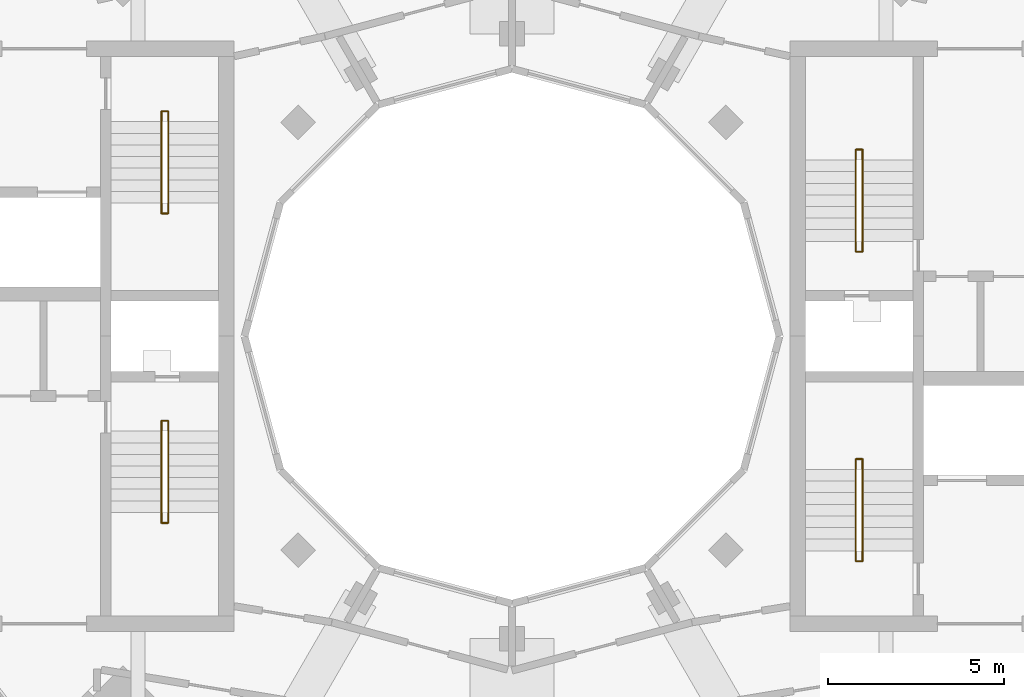
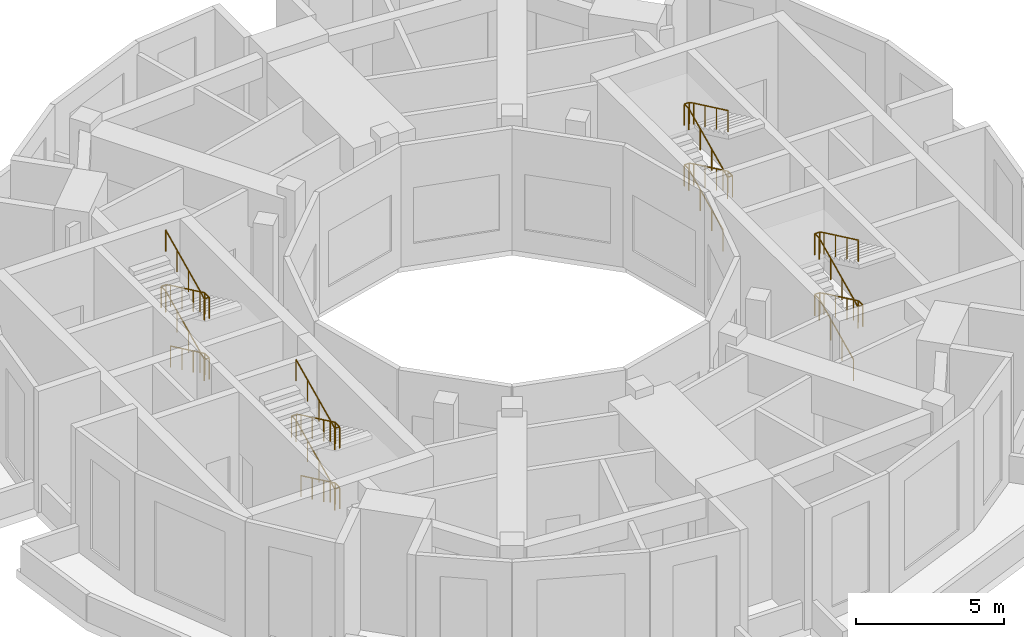
# One storey, part 8 of 8: 4 railings.
"""IFC4 building model written with IfcOpenShell, lengths in metres."""

from ifc_helpers import new_model, si_unit, direction, frame, origin, origin_2d, place, context, subcontext, project, spatial, circle, extrude, material, type_object, element, save


model = new_model("IFC4")

# Units and contexts
model_context = context("Model", 3, precision=1e-05, world=origin(), true_north=direction((0.0, 1.0)))
body_context = subcontext(model_context, "Body", "Model", "MODEL_VIEW")
ifc_project = project(units=[si_unit("LENGTHUNIT", "METRE"), si_unit("AREAUNIT", "SQUARE_METRE"), si_unit("VOLUMEUNIT", "CUBIC_METRE"), si_unit("PLANEANGLEUNIT", "RADIAN"), si_unit("MASSUNIT", "GRAM", prefix="KILO")], contexts=[model_context])

# Site, building, storey
site_placement = place(None, origin())
site = spatial("IfcSite", under=ifc_project, at=site_placement, CompositionType="ELEMENT")
building_placement = place(site_placement, origin())
building = spatial("IfcBuilding", under=site, at=building_placement, Name="Torre Brocal", CompositionType="ELEMENT")
storey_placement = place(building_placement, frame((0.0, 0.0, 328.10009765625)))
storey = spatial("IfcBuildingStorey", under=building, at=storey_placement, Name="L75", CompositionType="ELEMENT", Elevation=328.10009765625)

# Railings
ifc_material = material(Name="Stainless steel AISI 316", Category="steel")
railing_type = type_object("IfcRailingType", Name="STAIR HANDRAIL", PredefinedType="HANDRAIL", material=ifc_material)
railing_1_placement = place(storey_placement, frame((89.780029296875, 77.699951171875, 0.15625)))
element("IfcRailing", 1, at=railing_1_placement, inside=storey, type_object=railing_type, Name="HANDRAIL ST1", PredefinedType="HANDRAIL", context=body_context, shape_type="SweptSolid", body=[
    extrude(circle(Radius=0.02392578125, at=origin_2d()), frame((0.0, 0.0, 0.8759765625), z_axis=(0.0, 0.903811734687, 0.427930307694), x_axis=(-1.0, 0.0, 0.0)), (0.0, 0.0, 1.0), 2.555908203125),
    extrude(circle(Radius=0.02392578125, at=origin_2d()), frame((0.0, 2.31005859375, 1.9697265625), z_axis=(0.0, 1.0, 0.0), x_axis=(-1.0, 0.0, 0.0)), (0.0, 0.0, 1.0), 0.300048828125),
    extrude(circle(Radius=0.02392578125, at=origin_2d()), frame((0.0, 2.610107421875, 1.9697265625), z_axis=(1.0, 0.0, 0.0), x_axis=(0.0, 1.0, 0.0)), (0.0, 0.0, 1.0), 0.18994140625),
    extrude(circle(Radius=0.02392578125, at=origin_2d()), frame((0.18994140625, 2.610107421875, 1.9697265625), z_axis=(0.0, -0.886944881109, 0.461875283897), x_axis=(1.0, 0.0, 0.0)), (0.0, 0.0, 1.0), 0.33837890625),
    extrude(circle(Radius=0.02392578125, at=origin_2d()), frame((0.18994140625, 2.31005859375, 2.1259765625), z_axis=(0.0, -0.903811734687, 0.427930307694), x_axis=(1.0, 0.0, 0.0)), (0.0, 0.0, 1.0), 2.555908203125),
    extrude(circle(Radius=0.02392578125, at=origin_2d()), frame((0.18994140625, 0.0, 3.2197265625), z_axis=(0.0, -1.0, 0.0), x_axis=(1.0, 0.0, 0.0)), (0.0, 0.0, 1.0), 0.300048828125),
    extrude(circle(Radius=0.02392578125, at=origin_2d()), frame((0.18994140625, -0.300048828125, 3.2197265625), z_axis=(-1.0, 0.0, 0.0), x_axis=(0.0, -1.0, 0.0)), (0.0, 0.0, 1.0), 0.18994140625),
    extrude(circle(Radius=0.02392578125, at=origin_2d()), frame((0.0, -0.300048828125, 3.2197265625), z_axis=(0.0, 0.886944881109, 0.461875283897), x_axis=(-1.0, 0.0, 0.0)), (0.0, 0.0, 1.0), 0.33837890625),
    extrude(circle(Radius=0.02392578125, at=origin_2d()), frame((0.0, 0.0, 3.3759765625), z_axis=(0.0, 0.903811734687, 0.427930307694), x_axis=(-1.0, 0.0, 0.0)), (0.0, 0.0, 1.0), 2.555908203125),
    extrude(circle(Radius=0.02392578125, at=origin_2d()), frame((0.0, 2.31005859375, 4.4697265625), z_axis=(0.0, 1.0, 0.0), x_axis=(-1.0, 0.0, 0.0)), (0.0, 0.0, 1.0), 0.300048828125),
    extrude(circle(Radius=0.02392578125, at=origin_2d()), frame((0.0, 2.610107421875, 4.4697265625), z_axis=(1.0, 0.0, 0.0), x_axis=(0.0, 1.0, 0.0)), (0.0, 0.0, 1.0), 0.18994140625),
    extrude(circle(Radius=0.02392578125, at=origin_2d()), frame((0.18994140625, 2.610107421875, 4.4697265625), z_axis=(0.0, -0.886944881109, 0.461875283897), x_axis=(1.0, 0.0, 0.0)), (0.0, 0.0, 1.0), 0.33837890625),
    extrude(circle(Radius=0.02392578125, at=origin_2d()), frame((0.18994140625, 2.31005859375, 4.6259765625), z_axis=(0.0, -0.903811734687, 0.427930307694), x_axis=(1.0, 0.0, 0.0)), (0.0, 0.0, 1.0), 2.555908203125),
    extrude(circle(Radius=0.02099609375, at=origin_2d()), origin(), (0.0, 0.0, 1.0), 0.851806640625),
    extrude(circle(Radius=0.02099609375, at=origin_2d()), frame((0.0, 0.77001953125, 0.364501953125)), (0.0, 0.0, 1.0), 0.851806640625),
    extrude(circle(Radius=0.02099609375, at=origin_2d()), frame((0.0, 1.5400390625, 0.729248046875)), (0.0, 0.0, 1.0), 0.851806640625),
    extrude(circle(Radius=0.02099609375, at=origin_2d()), frame((0.0, 2.31005859375, 1.09375)), (0.0, 0.0, 1.0), 0.851806640625),
    extrude(circle(Radius=0.02099609375, at=origin_2d()), frame((0.0, 2.610107421875, 1.09375)), (0.0, 0.0, 1.0), 0.851806640625),
    extrude(circle(Radius=0.02099609375, at=origin_2d()), frame((0.18994140625, 2.610107421875, 1.09375)), (0.0, 0.0, 1.0), 0.851806640625),
    extrude(circle(Radius=0.02099609375, at=origin_2d()), frame((0.18994140625, 2.31005859375, 1.25)), (0.0, 0.0, 1.0), 0.851806640625),
    extrude(circle(Radius=0.02099609375, at=origin_2d()), frame((0.18994140625, 1.5400390625, 1.614501953125)), (0.0, 0.0, 1.0), 0.851806640625),
    extrude(circle(Radius=0.02099609375, at=origin_2d()), frame((0.18994140625, 0.77001953125, 1.979248046875)), (0.0, 0.0, 1.0), 0.851806640625),
    extrude(circle(Radius=0.02099609375, at=origin_2d()), frame((0.18994140625, 0.0, 2.34375)), (0.0, 0.0, 1.0), 0.851806640625),
    extrude(circle(Radius=0.02099609375, at=origin_2d()), frame((0.18994140625, -0.300048828125, 2.34375)), (0.0, 0.0, 1.0), 0.851806640625),
    extrude(circle(Radius=0.02099609375, at=origin_2d()), frame((0.0, -0.300048828125, 2.34375)), (0.0, 0.0, 1.0), 0.851806640625),
    extrude(circle(Radius=0.02099609375, at=origin_2d()), frame((0.0, 0.0, 2.5)), (0.0, 0.0, 1.0), 0.851806640625),
    extrude(circle(Radius=0.02099609375, at=origin_2d()), frame((0.0, 0.77001953125, 2.864501953125)), (0.0, 0.0, 1.0), 0.851806640625),
    extrude(circle(Radius=0.02099609375, at=origin_2d()), frame((0.0, 1.5400390625, 3.229248046875)), (0.0, 0.0, 1.0), 0.851806640625),
    extrude(circle(Radius=0.02099609375, at=origin_2d()), frame((0.0, 2.31005859375, 3.59375)), (0.0, 0.0, 1.0), 0.851806640625),
    extrude(circle(Radius=0.02099609375, at=origin_2d()), frame((0.0, 2.610107421875, 3.59375)), (0.0, 0.0, 1.0), 0.851806640625),
    extrude(circle(Radius=0.02099609375, at=origin_2d()), frame((0.18994140625, 2.610107421875, 3.59375)), (0.0, 0.0, 1.0), 0.851806640625),
    extrude(circle(Radius=0.02099609375, at=origin_2d()), frame((0.18994140625, 2.31005859375, 3.75)), (0.0, 0.0, 1.0), 0.851806640625),
    extrude(circle(Radius=0.02099609375, at=origin_2d()), frame((0.18994140625, 1.5400390625, 4.114501953125)), (0.0, 0.0, 1.0), 0.851806640625),
    extrude(circle(Radius=0.02099609375, at=origin_2d()), frame((0.18994140625, 0.77001953125, 4.479248046875)), (0.0, 0.0, 1.0), 0.851806640625),
    extrude(circle(Radius=0.02099609375, at=origin_2d()), frame((0.18994140625, 0.0, 4.84375)), (0.0, 0.0, 1.0), 0.851806640625),
])
railing_2_placement = place(storey_placement, frame((89.780029296875, 68.89990234375, 0.15625)))
element("IfcRailing", 2, at=railing_2_placement, inside=storey, type_object=railing_type, Name="HANDRAIL ST2", PredefinedType="HANDRAIL", context=body_context, shape_type="SweptSolid", body=[
    extrude(circle(Radius=0.02392578125, at=origin_2d()), frame((0.0, 0.0, 0.8759765625), z_axis=(0.0, 0.903811734687, 0.427930307694), x_axis=(-1.0, 0.0, 0.0)), (0.0, 0.0, 1.0), 2.555908203125),
    extrude(circle(Radius=0.02392578125, at=origin_2d()), frame((0.0, 2.31005859375, 1.9697265625), z_axis=(0.0, 1.0, 0.0), x_axis=(-1.0, 0.0, 0.0)), (0.0, 0.0, 1.0), 0.300048828125),
    extrude(circle(Radius=0.02392578125, at=origin_2d()), frame((0.0, 2.610107421875, 1.9697265625), z_axis=(1.0, 0.0, 0.0), x_axis=(0.0, 1.0, 0.0)), (0.0, 0.0, 1.0), 0.18994140625),
    extrude(circle(Radius=0.02392578125, at=origin_2d()), frame((0.18994140625, 2.610107421875, 1.9697265625), z_axis=(0.0, -0.886944881109, 0.461875283897), x_axis=(1.0, 0.0, 0.0)), (0.0, 0.0, 1.0), 0.33837890625),
    extrude(circle(Radius=0.02392578125, at=origin_2d()), frame((0.18994140625, 2.31005859375, 2.1259765625), z_axis=(0.0, -0.903811734687, 0.427930307694), x_axis=(1.0, 0.0, 0.0)), (0.0, 0.0, 1.0), 2.555908203125),
    extrude(circle(Radius=0.02392578125, at=origin_2d()), frame((0.18994140625, 0.0, 3.2197265625), z_axis=(0.0, -1.0, 0.0), x_axis=(1.0, 0.0, 0.0)), (0.0, 0.0, 1.0), 0.2998046875),
    extrude(circle(Radius=0.02392578125, at=origin_2d()), frame((0.18994140625, -0.2998046875, 3.2197265625), z_axis=(-1.0, 0.0, 0.0), x_axis=(0.0, -1.0, 0.0)), (0.0, 0.0, 1.0), 0.18994140625),
    extrude(circle(Radius=0.02392578125, at=origin_2d()), frame((0.0, -0.2998046875, 3.2197265625), z_axis=(0.0, 0.886790778033, 0.462171089529), x_axis=(-1.0, 0.0, 0.0)), (0.0, 0.0, 1.0), 0.338134765625),
    extrude(circle(Radius=0.02392578125, at=origin_2d()), frame((0.0, 0.0, 3.3759765625), z_axis=(0.0, 0.903811734687, 0.427930307694), x_axis=(-1.0, 0.0, 0.0)), (0.0, 0.0, 1.0), 2.555908203125),
    extrude(circle(Radius=0.02392578125, at=origin_2d()), frame((0.0, 2.31005859375, 4.4697265625), z_axis=(0.0, 1.0, 0.0), x_axis=(-1.0, 0.0, 0.0)), (0.0, 0.0, 1.0), 0.300048828125),
    extrude(circle(Radius=0.02392578125, at=origin_2d()), frame((0.0, 2.610107421875, 4.4697265625), z_axis=(1.0, 0.0, 0.0), x_axis=(0.0, 1.0, 0.0)), (0.0, 0.0, 1.0), 0.18994140625),
    extrude(circle(Radius=0.02392578125, at=origin_2d()), frame((0.18994140625, 2.610107421875, 4.4697265625), z_axis=(0.0, -0.886944881109, 0.461875283897), x_axis=(1.0, 0.0, 0.0)), (0.0, 0.0, 1.0), 0.33837890625),
    extrude(circle(Radius=0.02392578125, at=origin_2d()), frame((0.18994140625, 2.31005859375, 4.6259765625), z_axis=(0.0, -0.903811734687, 0.427930307694), x_axis=(1.0, 0.0, 0.0)), (0.0, 0.0, 1.0), 2.555908203125),
    extrude(circle(Radius=0.02099609375, at=origin_2d()), origin(), (0.0, 0.0, 1.0), 0.851806640625),
    extrude(circle(Radius=0.02099609375, at=origin_2d()), frame((0.0, 0.77001953125, 0.364501953125)), (0.0, 0.0, 1.0), 0.851806640625),
    extrude(circle(Radius=0.02099609375, at=origin_2d()), frame((0.0, 1.5400390625, 0.729248046875)), (0.0, 0.0, 1.0), 0.851806640625),
    extrude(circle(Radius=0.02099609375, at=origin_2d()), frame((0.0, 2.31005859375, 1.09375)), (0.0, 0.0, 1.0), 0.851806640625),
    extrude(circle(Radius=0.02099609375, at=origin_2d()), frame((0.0, 2.610107421875, 1.09375)), (0.0, 0.0, 1.0), 0.851806640625),
    extrude(circle(Radius=0.02099609375, at=origin_2d()), frame((0.18994140625, 2.610107421875, 1.09375)), (0.0, 0.0, 1.0), 0.851806640625),
    extrude(circle(Radius=0.02099609375, at=origin_2d()), frame((0.18994140625, 2.31005859375, 1.25)), (0.0, 0.0, 1.0), 0.851806640625),
    extrude(circle(Radius=0.02099609375, at=origin_2d()), frame((0.18994140625, 1.5400390625, 1.614501953125)), (0.0, 0.0, 1.0), 0.851806640625),
    extrude(circle(Radius=0.02099609375, at=origin_2d()), frame((0.18994140625, 0.77001953125, 1.979248046875)), (0.0, 0.0, 1.0), 0.851806640625),
    extrude(circle(Radius=0.02099609375, at=origin_2d()), frame((0.18994140625, 0.0, 2.34375)), (0.0, 0.0, 1.0), 0.851806640625),
    extrude(circle(Radius=0.02099609375, at=origin_2d()), frame((0.18994140625, -0.2998046875, 2.34375)), (0.0, 0.0, 1.0), 0.851806640625),
    extrude(circle(Radius=0.02099609375, at=origin_2d()), frame((0.0, -0.2998046875, 2.34375)), (0.0, 0.0, 1.0), 0.851806640625),
    extrude(circle(Radius=0.02099609375, at=origin_2d()), frame((0.0, 0.0, 2.5)), (0.0, 0.0, 1.0), 0.851806640625),
    extrude(circle(Radius=0.02099609375, at=origin_2d()), frame((0.0, 0.77001953125, 2.864501953125)), (0.0, 0.0, 1.0), 0.851806640625),
    extrude(circle(Radius=0.02099609375, at=origin_2d()), frame((0.0, 1.5400390625, 3.229248046875)), (0.0, 0.0, 1.0), 0.851806640625),
    extrude(circle(Radius=0.02099609375, at=origin_2d()), frame((0.0, 2.31005859375, 3.59375)), (0.0, 0.0, 1.0), 0.851806640625),
    extrude(circle(Radius=0.02099609375, at=origin_2d()), frame((0.0, 2.610107421875, 3.59375)), (0.0, 0.0, 1.0), 0.851806640625),
    extrude(circle(Radius=0.02099609375, at=origin_2d()), frame((0.18994140625, 2.610107421875, 3.59375)), (0.0, 0.0, 1.0), 0.851806640625),
    extrude(circle(Radius=0.02099609375, at=origin_2d()), frame((0.18994140625, 2.31005859375, 3.75)), (0.0, 0.0, 1.0), 0.851806640625),
    extrude(circle(Radius=0.02099609375, at=origin_2d()), frame((0.18994140625, 1.5400390625, 4.114501953125)), (0.0, 0.0, 1.0), 0.851806640625),
    extrude(circle(Radius=0.02099609375, at=origin_2d()), frame((0.18994140625, 0.77001953125, 4.479248046875)), (0.0, 0.0, 1.0), 0.851806640625),
    extrude(circle(Radius=0.02099609375, at=origin_2d()), frame((0.18994140625, 0.0, 4.84375)), (0.0, 0.0, 1.0), 0.851806640625),
])
railing_3_placement = place(storey_placement, frame((70.219970703125, 72.300048828125, 0.15625)))
element("IfcRailing", 3, at=railing_3_placement, inside=storey, type_object=railing_type, Name="HANDRAIL ST3", PredefinedType="HANDRAIL", context=body_context, shape_type="SweptSolid", body=[
    extrude(circle(Radius=0.02392578125, at=origin_2d()), frame((0.0, 0.0, 0.8759765625), z_axis=(0.0, -0.903811734687, 0.427930307694), x_axis=(1.0, 0.0, 0.0)), (0.0, 0.0, 1.0), 2.555908203125),
    extrude(circle(Radius=0.02392578125, at=origin_2d()), frame((0.0, -2.31005859375, 1.9697265625), z_axis=(0.0, -1.0, 0.0), x_axis=(1.0, 0.0, 0.0)), (0.0, 0.0, 1.0), 0.300048828125),
    extrude(circle(Radius=0.02392578125, at=origin_2d()), frame((0.0, -2.610107421875, 1.9697265625), z_axis=(-1.0, 0.0, 0.0), x_axis=(0.0, -1.0, 0.0)), (0.0, 0.0, 1.0), 0.18994140625),
    extrude(circle(Radius=0.02392578125, at=origin_2d()), frame((-0.18994140625, -2.610107421875, 1.9697265625), z_axis=(0.0, 0.886944881109, 0.461875283897), x_axis=(-1.0, 0.0, 0.0)), (0.0, 0.0, 1.0), 0.33837890625),
    extrude(circle(Radius=0.02392578125, at=origin_2d()), frame((-0.18994140625, -2.31005859375, 2.1259765625), z_axis=(0.0, 0.903811734687, 0.427930307694), x_axis=(-1.0, 0.0, 0.0)), (0.0, 0.0, 1.0), 2.555908203125),
    extrude(circle(Radius=0.02392578125, at=origin_2d()), frame((-0.18994140625, 0.0, 3.2197265625), z_axis=(0.0, 1.0, 0.0), x_axis=(-1.0, 0.0, 0.0)), (0.0, 0.0, 1.0), 0.300048828125),
    extrude(circle(Radius=0.02392578125, at=origin_2d()), frame((-0.18994140625, 0.300048828125, 3.2197265625), z_axis=(1.0, 0.0, 0.0), x_axis=(0.0, 1.0, 0.0)), (0.0, 0.0, 1.0), 0.18994140625),
    extrude(circle(Radius=0.02392578125, at=origin_2d()), frame((0.0, 0.300048828125, 3.2197265625), z_axis=(0.0, -0.886944881109, 0.461875283897), x_axis=(1.0, 0.0, 0.0)), (0.0, 0.0, 1.0), 0.33837890625),
    extrude(circle(Radius=0.02392578125, at=origin_2d()), frame((0.0, 0.0, 3.3759765625), z_axis=(0.0, -0.903811734687, 0.427930307694), x_axis=(1.0, 0.0, 0.0)), (0.0, 0.0, 1.0), 2.555908203125),
    extrude(circle(Radius=0.02392578125, at=origin_2d()), frame((0.0, -2.31005859375, 4.4697265625), z_axis=(0.0, -1.0, 0.0), x_axis=(1.0, 0.0, 0.0)), (0.0, 0.0, 1.0), 0.300048828125),
    extrude(circle(Radius=0.02392578125, at=origin_2d()), frame((0.0, -2.610107421875, 4.4697265625), z_axis=(-1.0, 0.0, 0.0), x_axis=(0.0, -1.0, 0.0)), (0.0, 0.0, 1.0), 0.18994140625),
    extrude(circle(Radius=0.02392578125, at=origin_2d()), frame((-0.18994140625, -2.610107421875, 4.4697265625), z_axis=(0.0, 0.886944881109, 0.461875283897), x_axis=(-1.0, 0.0, 0.0)), (0.0, 0.0, 1.0), 0.33837890625),
    extrude(circle(Radius=0.02392578125, at=origin_2d()), frame((-0.18994140625, -2.31005859375, 4.6259765625), z_axis=(0.0, 0.903811734687, 0.427930307694), x_axis=(-1.0, 0.0, 0.0)), (0.0, 0.0, 1.0), 2.555908203125),
    extrude(circle(Radius=0.02099609375, at=origin_2d()), origin(), (0.0, 0.0, 1.0), 0.851806640625),
    extrude(circle(Radius=0.02099609375, at=origin_2d()), frame((0.0, -0.77001953125, 0.364501953125)), (0.0, 0.0, 1.0), 0.851806640625),
    extrude(circle(Radius=0.02099609375, at=origin_2d()), frame((0.0, -1.5400390625, 0.729248046875)), (0.0, 0.0, 1.0), 0.851806640625),
    extrude(circle(Radius=0.02099609375, at=origin_2d()), frame((0.0, -2.31005859375, 1.09375)), (0.0, 0.0, 1.0), 0.851806640625),
    extrude(circle(Radius=0.02099609375, at=origin_2d()), frame((0.0, -2.610107421875, 1.09375)), (0.0, 0.0, 1.0), 0.851806640625),
    extrude(circle(Radius=0.02099609375, at=origin_2d()), frame((-0.18994140625, -2.610107421875, 1.09375)), (0.0, 0.0, 1.0), 0.851806640625),
    extrude(circle(Radius=0.02099609375, at=origin_2d()), frame((-0.18994140625, -2.31005859375, 1.25)), (0.0, 0.0, 1.0), 0.851806640625),
    extrude(circle(Radius=0.02099609375, at=origin_2d()), frame((-0.18994140625, -1.5400390625, 1.614501953125)), (0.0, 0.0, 1.0), 0.851806640625),
    extrude(circle(Radius=0.02099609375, at=origin_2d()), frame((-0.18994140625, -0.77001953125, 1.979248046875)), (0.0, 0.0, 1.0), 0.851806640625),
    extrude(circle(Radius=0.02099609375, at=origin_2d()), frame((-0.18994140625, 0.0, 2.34375)), (0.0, 0.0, 1.0), 0.851806640625),
    extrude(circle(Radius=0.02099609375, at=origin_2d()), frame((-0.18994140625, 0.300048828125, 2.34375)), (0.0, 0.0, 1.0), 0.851806640625),
    extrude(circle(Radius=0.02099609375, at=origin_2d()), frame((0.0, 0.300048828125, 2.34375)), (0.0, 0.0, 1.0), 0.851806640625),
    extrude(circle(Radius=0.02099609375, at=origin_2d()), frame((0.0, 0.0, 2.5)), (0.0, 0.0, 1.0), 0.851806640625),
    extrude(circle(Radius=0.02099609375, at=origin_2d()), frame((0.0, -0.77001953125, 2.864501953125)), (0.0, 0.0, 1.0), 0.851806640625),
    extrude(circle(Radius=0.02099609375, at=origin_2d()), frame((0.0, -1.5400390625, 3.229248046875)), (0.0, 0.0, 1.0), 0.851806640625),
    extrude(circle(Radius=0.02099609375, at=origin_2d()), frame((0.0, -2.31005859375, 3.59375)), (0.0, 0.0, 1.0), 0.851806640625),
    extrude(circle(Radius=0.02099609375, at=origin_2d()), frame((0.0, -2.610107421875, 3.59375)), (0.0, 0.0, 1.0), 0.851806640625),
    extrude(circle(Radius=0.02099609375, at=origin_2d()), frame((-0.18994140625, -2.610107421875, 3.59375)), (0.0, 0.0, 1.0), 0.851806640625),
    extrude(circle(Radius=0.02099609375, at=origin_2d()), frame((-0.18994140625, -2.31005859375, 3.75)), (0.0, 0.0, 1.0), 0.851806640625),
    extrude(circle(Radius=0.02099609375, at=origin_2d()), frame((-0.18994140625, -1.5400390625, 4.114501953125)), (0.0, 0.0, 1.0), 0.851806640625),
    extrude(circle(Radius=0.02099609375, at=origin_2d()), frame((-0.18994140625, -0.77001953125, 4.479248046875)), (0.0, 0.0, 1.0), 0.851806640625),
    extrude(circle(Radius=0.02099609375, at=origin_2d()), frame((-0.18994140625, 0.0, 4.84375)), (0.0, 0.0, 1.0), 0.851806640625),
])
railing_4_placement = place(storey_placement, frame((70.219970703125, 81.10009765625, 0.15625)))
element("IfcRailing", 4, at=railing_4_placement, inside=storey, type_object=railing_type, Name="HANDRAIL ST4", PredefinedType="HANDRAIL", context=body_context, shape_type="SweptSolid", body=[
    extrude(circle(Radius=0.02392578125, at=origin_2d()), frame((0.0, 0.0, 0.8759765625), z_axis=(0.0, -0.903811734687, 0.427930307694), x_axis=(1.0, 0.0, 0.0)), (0.0, 0.0, 1.0), 2.555908203125),
    extrude(circle(Radius=0.02392578125, at=origin_2d()), frame((0.0, -2.31005859375, 1.9697265625), z_axis=(0.0, -1.0, 0.0), x_axis=(1.0, 0.0, 0.0)), (0.0, 0.0, 1.0), 0.300048828125),
    extrude(circle(Radius=0.02392578125, at=origin_2d()), frame((0.0, -2.610107421875, 1.9697265625), z_axis=(-1.0, 0.0, 0.0), x_axis=(0.0, -1.0, 0.0)), (0.0, 0.0, 1.0), 0.18994140625),
    extrude(circle(Radius=0.02392578125, at=origin_2d()), frame((-0.18994140625, -2.610107421875, 1.9697265625), z_axis=(0.0, 0.886944881109, 0.461875283897), x_axis=(-1.0, 0.0, 0.0)), (0.0, 0.0, 1.0), 0.33837890625),
    extrude(circle(Radius=0.02392578125, at=origin_2d()), frame((-0.18994140625, -2.31005859375, 2.1259765625), z_axis=(0.0, 0.903811734687, 0.427930307694), x_axis=(-1.0, 0.0, 0.0)), (0.0, 0.0, 1.0), 2.555908203125),
    extrude(circle(Radius=0.02392578125, at=origin_2d()), frame((-0.18994140625, 0.0, 3.2197265625), z_axis=(0.0, 1.0, 0.0), x_axis=(-1.0, 0.0, 0.0)), (0.0, 0.0, 1.0), 0.2998046875),
    extrude(circle(Radius=0.02392578125, at=origin_2d()), frame((-0.18994140625, 0.2998046875, 3.2197265625), z_axis=(1.0, 0.0, 0.0), x_axis=(0.0, 1.0, 0.0)), (0.0, 0.0, 1.0), 0.18994140625),
    extrude(circle(Radius=0.02392578125, at=origin_2d()), frame((0.0, 0.2998046875, 3.2197265625), z_axis=(0.0, -0.886790778033, 0.462171089529), x_axis=(1.0, 0.0, 0.0)), (0.0, 0.0, 1.0), 0.338134765625),
    extrude(circle(Radius=0.02392578125, at=origin_2d()), frame((0.0, 0.0, 3.3759765625), z_axis=(0.0, -0.903811734687, 0.427930307694), x_axis=(1.0, 0.0, 0.0)), (0.0, 0.0, 1.0), 2.555908203125),
    extrude(circle(Radius=0.02392578125, at=origin_2d()), frame((0.0, -2.31005859375, 4.4697265625), z_axis=(0.0, -1.0, 0.0), x_axis=(1.0, 0.0, 0.0)), (0.0, 0.0, 1.0), 0.300048828125),
    extrude(circle(Radius=0.02392578125, at=origin_2d()), frame((0.0, -2.610107421875, 4.4697265625), z_axis=(-1.0, 0.0, 0.0), x_axis=(0.0, -1.0, 0.0)), (0.0, 0.0, 1.0), 0.18994140625),
    extrude(circle(Radius=0.02392578125, at=origin_2d()), frame((-0.18994140625, -2.610107421875, 4.4697265625), z_axis=(0.0, 0.886944881109, 0.461875283897), x_axis=(-1.0, 0.0, 0.0)), (0.0, 0.0, 1.0), 0.33837890625),
    extrude(circle(Radius=0.02392578125, at=origin_2d()), frame((-0.18994140625, -2.31005859375, 4.6259765625), z_axis=(0.0, 0.903811734687, 0.427930307694), x_axis=(-1.0, 0.0, 0.0)), (0.0, 0.0, 1.0), 2.555908203125),
    extrude(circle(Radius=0.02099609375, at=origin_2d()), origin(), (0.0, 0.0, 1.0), 0.851806640625),
    extrude(circle(Radius=0.02099609375, at=origin_2d()), frame((0.0, -0.77001953125, 0.364501953125)), (0.0, 0.0, 1.0), 0.851806640625),
    extrude(circle(Radius=0.02099609375, at=origin_2d()), frame((0.0, -1.5400390625, 0.729248046875)), (0.0, 0.0, 1.0), 0.851806640625),
    extrude(circle(Radius=0.02099609375, at=origin_2d()), frame((0.0, -2.31005859375, 1.09375)), (0.0, 0.0, 1.0), 0.851806640625),
    extrude(circle(Radius=0.02099609375, at=origin_2d()), frame((0.0, -2.610107421875, 1.09375)), (0.0, 0.0, 1.0), 0.851806640625),
    extrude(circle(Radius=0.02099609375, at=origin_2d()), frame((-0.18994140625, -2.610107421875, 1.09375)), (0.0, 0.0, 1.0), 0.851806640625),
    extrude(circle(Radius=0.02099609375, at=origin_2d()), frame((-0.18994140625, -2.31005859375, 1.25)), (0.0, 0.0, 1.0), 0.851806640625),
    extrude(circle(Radius=0.02099609375, at=origin_2d()), frame((-0.18994140625, -1.5400390625, 1.614501953125)), (0.0, 0.0, 1.0), 0.851806640625),
    extrude(circle(Radius=0.02099609375, at=origin_2d()), frame((-0.18994140625, -0.77001953125, 1.979248046875)), (0.0, 0.0, 1.0), 0.851806640625),
    extrude(circle(Radius=0.02099609375, at=origin_2d()), frame((-0.18994140625, 0.0, 2.34375)), (0.0, 0.0, 1.0), 0.851806640625),
    extrude(circle(Radius=0.02099609375, at=origin_2d()), frame((-0.18994140625, 0.2998046875, 2.34375)), (0.0, 0.0, 1.0), 0.851806640625),
    extrude(circle(Radius=0.02099609375, at=origin_2d()), frame((0.0, 0.2998046875, 2.34375)), (0.0, 0.0, 1.0), 0.851806640625),
    extrude(circle(Radius=0.02099609375, at=origin_2d()), frame((0.0, 0.0, 2.5)), (0.0, 0.0, 1.0), 0.851806640625),
    extrude(circle(Radius=0.02099609375, at=origin_2d()), frame((0.0, -0.77001953125, 2.864501953125)), (0.0, 0.0, 1.0), 0.851806640625),
    extrude(circle(Radius=0.02099609375, at=origin_2d()), frame((0.0, -1.5400390625, 3.229248046875)), (0.0, 0.0, 1.0), 0.851806640625),
    extrude(circle(Radius=0.02099609375, at=origin_2d()), frame((0.0, -2.31005859375, 3.59375)), (0.0, 0.0, 1.0), 0.851806640625),
    extrude(circle(Radius=0.02099609375, at=origin_2d()), frame((0.0, -2.610107421875, 3.59375)), (0.0, 0.0, 1.0), 0.851806640625),
    extrude(circle(Radius=0.02099609375, at=origin_2d()), frame((-0.18994140625, -2.610107421875, 3.59375)), (0.0, 0.0, 1.0), 0.851806640625),
    extrude(circle(Radius=0.02099609375, at=origin_2d()), frame((-0.18994140625, -2.31005859375, 3.75)), (0.0, 0.0, 1.0), 0.851806640625),
    extrude(circle(Radius=0.02099609375, at=origin_2d()), frame((-0.18994140625, -1.5400390625, 4.114501953125)), (0.0, 0.0, 1.0), 0.851806640625),
    extrude(circle(Radius=0.02099609375, at=origin_2d()), frame((-0.18994140625, -0.77001953125, 4.479248046875)), (0.0, 0.0, 1.0), 0.851806640625),
    extrude(circle(Radius=0.02099609375, at=origin_2d()), frame((-0.18994140625, 0.0, 4.84375)), (0.0, 0.0, 1.0), 0.851806640625),
])

save(model, "model.ifc")
